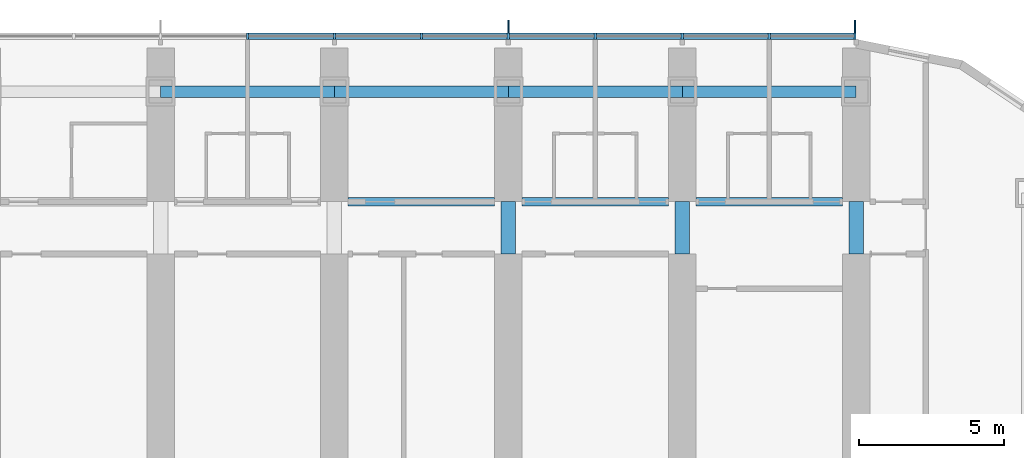
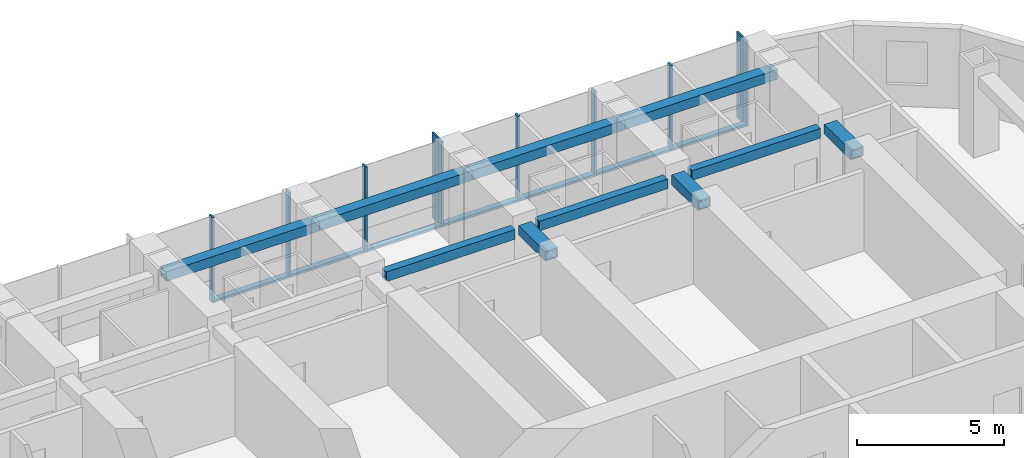
# One storey, part 5 of 21: 17 members, 10 beams, 1 element without a shape of its own.
"""IFC4 building model written with IfcOpenShell, lengths in metres."""

from ifc_helpers import new_model, si_unit, direction, frame, origin, origin_2d, place, context, subcontext, project, spatial, rectangle, hollow_rectangle, extrude, material, material_profile, profile_set, type_object, element, aggregate, save


model = new_model("IFC4")

# Units and contexts
model_context = context("Model", 3, precision=1e-05, world=origin(), true_north=direction((0.0, 1.0)))
body_context = subcontext(model_context, "Body", "Model", "MODEL_VIEW")
ifc_project = project(units=[si_unit("LENGTHUNIT", "METRE"), si_unit("AREAUNIT", "SQUARE_METRE"), si_unit("VOLUMEUNIT", "CUBIC_METRE"), si_unit("PLANEANGLEUNIT", "RADIAN"), si_unit("MASSUNIT", "GRAM", prefix="KILO")], contexts=[model_context])

# Site, building, storey
site_placement = place(None, origin())
site = spatial("IfcSite", under=ifc_project, at=site_placement, CompositionType="ELEMENT")
building_placement = place(site_placement, origin())
building = spatial("IfcBuilding", under=site, at=building_placement, Name="Orbita Commons", CompositionType="ELEMENT")
storey_placement = place(building_placement, frame((0.0, 0.0, 95.64990234375)))
storey = spatial("IfcBuildingStorey", under=building, at=storey_placement, Name="L23", CompositionType="ELEMENT", Elevation=95.64990234375)

# Curtain wall, members
ifc_material_1 = material(Name="Anodised aluminium frame, pale silver", Category="aluminium")
curtain_wall_type = type_object("IfcCurtainWallType", Name="Unitised curtain wall CW-T, vision and spandrel", PredefinedType="NOTDEFINED", material=ifc_material_1)
curtain_wall_placement = place(storey_placement, origin())
curtain_wall = element("IfcCurtainWall", 1, at=curtain_wall_placement, inside=storey, type_object=curtain_wall_type, Name="Curtain wall north L23", PredefinedType="NOTDEFINED")
ifc_material_2 = material(Name="Anodised aluminium, pale silver", Category="aluminium")
ifc_material_profile_1 = material_profile(ifc_material_2, rectangle(XDim=0.080078125, YDim=0.219970703125, at=origin_2d()), Name="AL 80x220")
ifc_profile_set_1 = profile_set([ifc_material_profile_1], Name="Anodised aluminium, pale silver")
member_type_1 = type_object("IfcMemberType", Name="Curtain wall mullion 80x220", PredefinedType="MULLION", material=ifc_profile_set_1)
member_1_placement = place(storey_placement, frame((65.9599609375, 55.510009765625, -0.25), z_axis=(0.0, 0.0, 1.0), x_axis=(-1.0, 0.0, 0.0)))
member_1 = element("IfcMember", 2, at=member_1_placement, type_object=member_type_1, Name="Mullion 1 CW-L23-N", PredefinedType="MULLION", context=body_context, shape_type="SweptSolid", body=[
    extrude(rectangle(XDim=0.080078125, YDim=0.219970703125, at=origin_2d()), origin(), (0.0, 0.0, 1.0), 3.550048828125),
])
member_2_placement = place(storey_placement, frame((63.0, 55.510009765625, -0.25), z_axis=(0.0, 0.0, 1.0), x_axis=(-1.0, 0.0, 0.0)))
member_2 = element("IfcMember", 3, at=member_2_placement, type_object=member_type_1, Name="Mullion 2 CW-L23-N", PredefinedType="MULLION", context=body_context, shape_type="SweptSolid", body=[
    extrude(rectangle(XDim=0.080078125, YDim=0.219970703125, at=origin_2d()), origin(), (0.0, 0.0, 1.0), 3.550048828125),
])
member_3_placement = place(storey_placement, frame((60.0, 55.510009765625, -0.25), z_axis=(0.0, 0.0, 1.0), x_axis=(-1.0, 0.0, 0.0)))
member_3 = element("IfcMember", 4, at=member_3_placement, type_object=member_type_1, Name="Mullion 3 CW-L23-N", PredefinedType="MULLION", context=body_context, shape_type="SweptSolid", body=[
    extrude(rectangle(XDim=0.080078125, YDim=0.219970703125, at=origin_2d()), origin(), (0.0, 0.0, 1.0), 3.550048828125),
])
member_4_placement = place(storey_placement, frame((57.0, 55.510009765625, -0.25), z_axis=(0.0, 0.0, 1.0), x_axis=(-1.0, 0.0, 0.0)))
member_4 = element("IfcMember", 5, at=member_4_placement, type_object=member_type_1, Name="Mullion 4 CW-L23-N", PredefinedType="MULLION", context=body_context, shape_type="SweptSolid", body=[
    extrude(rectangle(XDim=0.080078125, YDim=0.219970703125, at=origin_2d()), origin(), (0.0, 0.0, 1.0), 3.550048828125),
])
member_5_placement = place(storey_placement, frame((54.0, 55.510009765625, -0.25), z_axis=(0.0, 0.0, 1.0), x_axis=(-1.0, 0.0, 0.0)))
member_5 = element("IfcMember", 6, at=member_5_placement, type_object=member_type_1, Name="Mullion 5 CW-L23-N", PredefinedType="MULLION", context=body_context, shape_type="SweptSolid", body=[
    extrude(rectangle(XDim=0.080078125, YDim=0.219970703125, at=origin_2d()), origin(), (0.0, 0.0, 1.0), 3.550048828125),
])
member_6_placement = place(storey_placement, frame((51.0, 55.510009765625, -0.25), z_axis=(0.0, 0.0, 1.0), x_axis=(-1.0, 0.0, 0.0)))
member_6 = element("IfcMember", 7, at=member_6_placement, type_object=member_type_1, Name="Mullion 6 CW-L23-N", PredefinedType="MULLION", context=body_context, shape_type="SweptSolid", body=[
    extrude(rectangle(XDim=0.080078125, YDim=0.219970703125, at=origin_2d()), origin(), (0.0, 0.0, 1.0), 3.550048828125),
])
member_7_placement = place(storey_placement, frame((48.0, 55.510009765625, -0.25), z_axis=(0.0, 0.0, 1.0), x_axis=(-1.0, 0.0, 0.0)))
member_7 = element("IfcMember", 8, at=member_7_placement, type_object=member_type_1, Name="Mullion 7 CW-L23-N", PredefinedType="MULLION", context=body_context, shape_type="SweptSolid", body=[
    extrude(rectangle(XDim=0.080078125, YDim=0.219970703125, at=origin_2d()), origin(), (0.0, 0.0, 1.0), 3.550048828125),
])
member_8_placement = place(storey_placement, frame((45.0, 55.510009765625, -0.25), z_axis=(0.0, 0.0, 1.0), x_axis=(-1.0, 0.0, 0.0)))
member_8 = element("IfcMember", 9, at=member_8_placement, type_object=member_type_1, Name="Mullion 8 CW-L23-N", PredefinedType="MULLION", context=body_context, shape_type="SweptSolid", body=[
    extrude(rectangle(XDim=0.080078125, YDim=0.219970703125, at=origin_2d()), origin(), (0.0, 0.0, 1.0), 3.550048828125),
])
ifc_material_3 = material(Name="Anodised aluminium, pale silver", Category="aluminium")
ifc_material_profile_2 = material_profile(ifc_material_3, rectangle(XDim=0.219970703125, YDim=0.10009765625, at=origin_2d()), Name="AL 220x100")
ifc_profile_set_2 = profile_set([ifc_material_profile_2], Name="Anodised aluminium, pale silver")
member_type_2 = type_object("IfcMemberType", Name="Curtain wall stack transom 220x100", PredefinedType="USERDEFINED", material=ifc_profile_set_2)
member_9_placement = place(storey_placement, frame((65.919921875, 55.510009765625, -0.199951171875), z_axis=(-1.0, 0.0, 0.0), x_axis=(0.0, -1.0, 0.0)))
member_9 = element("IfcMember", 10, at=member_9_placement, type_object=member_type_2, Name="Transom 1.1 CW-L23-N", ObjectType="TRANSOM", PredefinedType="USERDEFINED", context=body_context, shape_type="SweptSolid", body=[
    extrude(rectangle(XDim=0.219970703125, YDim=0.10009765625, at=origin_2d()), origin(), (0.0, 0.0, 1.0), 2.8798828125),
])
member_10_placement = place(storey_placement, frame((62.9599609375, 55.510009765625, -0.199951171875), z_axis=(-1.0, 0.0, 0.0), x_axis=(0.0, -1.0, 0.0)))
member_10 = element("IfcMember", 11, at=member_10_placement, type_object=member_type_2, Name="Transom 2.1 CW-L23-N", ObjectType="TRANSOM", PredefinedType="USERDEFINED", context=body_context, shape_type="SweptSolid", body=[
    extrude(rectangle(XDim=0.219970703125, YDim=0.10009765625, at=origin_2d()), origin(), (0.0, 0.0, 1.0), 2.919921875),
])
member_11_placement = place(storey_placement, frame((59.9599609375, 55.510009765625, -0.199951171875), z_axis=(-1.0, 0.0, 0.0), x_axis=(0.0, -1.0, 0.0)))
member_11 = element("IfcMember", 12, at=member_11_placement, type_object=member_type_2, Name="Transom 3.1 CW-L23-N", ObjectType="TRANSOM", PredefinedType="USERDEFINED", context=body_context, shape_type="SweptSolid", body=[
    extrude(rectangle(XDim=0.219970703125, YDim=0.10009765625, at=origin_2d()), origin(), (0.0, 0.0, 1.0), 2.919921875),
])
member_12_placement = place(storey_placement, frame((56.9599609375, 55.510009765625, -0.199951171875), z_axis=(-1.0, 0.0, 0.0), x_axis=(0.0, -1.0, 0.0)))
member_12 = element("IfcMember", 13, at=member_12_placement, type_object=member_type_2, Name="Transom 4.1 CW-L23-N", ObjectType="TRANSOM", PredefinedType="USERDEFINED", context=body_context, shape_type="SweptSolid", body=[
    extrude(rectangle(XDim=0.219970703125, YDim=0.10009765625, at=origin_2d()), origin(), (0.0, 0.0, 1.0), 2.919921875),
])
member_13_placement = place(storey_placement, frame((53.9599609375, 55.510009765625, -0.199951171875), z_axis=(-1.0, 0.0, 0.0), x_axis=(0.0, -1.0, 0.0)))
member_13 = element("IfcMember", 14, at=member_13_placement, type_object=member_type_2, Name="Transom 5.1 CW-L23-N", ObjectType="TRANSOM", PredefinedType="USERDEFINED", context=body_context, shape_type="SweptSolid", body=[
    extrude(rectangle(XDim=0.219970703125, YDim=0.10009765625, at=origin_2d()), origin(), (0.0, 0.0, 1.0), 2.919921875),
])
member_14_placement = place(storey_placement, frame((50.9599609375, 55.510009765625, -0.199951171875), z_axis=(-1.0, 0.0, 0.0), x_axis=(0.0, -1.0, 0.0)))
member_14 = element("IfcMember", 15, at=member_14_placement, type_object=member_type_2, Name="Transom 6.1 CW-L23-N", ObjectType="TRANSOM", PredefinedType="USERDEFINED", context=body_context, shape_type="SweptSolid", body=[
    extrude(rectangle(XDim=0.219970703125, YDim=0.10009765625, at=origin_2d()), origin(), (0.0, 0.0, 1.0), 2.919921875),
])
member_15_placement = place(storey_placement, frame((47.9599609375, 55.510009765625, -0.199951171875), z_axis=(-1.0, 0.0, 0.0), x_axis=(0.0, -1.0, 0.0)))
member_15 = element("IfcMember", 16, at=member_15_placement, type_object=member_type_2, Name="Transom 7.1 CW-L23-N", ObjectType="TRANSOM", PredefinedType="USERDEFINED", context=body_context, shape_type="SweptSolid", body=[
    extrude(rectangle(XDim=0.219970703125, YDim=0.10009765625, at=origin_2d()), origin(), (0.0, 0.0, 1.0), 2.919921875),
])

# Beams
ifc_material_4 = material(Name="Steel ASTM A572 Gr 50 welded plate", Category="steel")
ifc_material_profile_3 = material_profile(ifc_material_4, hollow_rectangle(XDim=0.300048828125, YDim=0.39990234375, WallThickness=0.0400390625, at=origin_2d()), Name="BOX 400x300x40")
ifc_profile_set_3 = profile_set([ifc_material_profile_3], Name="Steel ASTM A572 Gr 50 welded plate")
beam_type_1 = type_object("IfcBeamType", Name="Steel corridor link BOX 400x300x40", PredefinedType="BEAM", material=ifc_profile_set_3)
for number, where, z_axis, x_axis, name in (
    (17, (48.47509765625, 49.800048828125, 3.10009765625), (1.0, 0.0, 0.0), (0.0, 1.0, 0.0), "Corridor beam NB 9-10 L23"),
    (18, (54.47509765625, 49.800048828125, 3.10009765625), (1.0, 0.0, 0.0), (0.0, 1.0, 0.0), "Corridor beam NB 10-11 L23"),
    (19, (60.47509765625, 49.800048828125, 3.10009765625), (1.0, 0.0, 0.0), (0.0, 1.0, 0.0), "Corridor beam NB 11-12 L23"),
):
    element("IfcBeam", number, at=place(storey_placement, frame(where, z_axis=z_axis, x_axis=x_axis)), inside=storey, type_object=beam_type_1, Name=name, PredefinedType="BEAM", context=body_context, shape_type="SweptSolid", body=[
        extrude(hollow_rectangle(XDim=0.300048828125, YDim=0.39990234375, WallThickness=0.0400390625, at=origin_2d()), origin(), (0.0, 0.0, 1.0), 5.0498046875),
    ])
ifc_material_5 = material(Name="Steel ASTM A572 Gr 50 welded plate", Category="steel")
ifc_material_profile_4 = material_profile(ifc_material_5, hollow_rectangle(XDim=0.5, YDim=0.39990234375, WallThickness=0.050048828125, at=origin_2d()), Name="BOX 400x500x50")
ifc_profile_set_4 = profile_set([ifc_material_profile_4], Name="Steel ASTM A572 Gr 50 welded plate")
beam_type_2 = type_object("IfcBeamType", Name="Steel coupling link BOX 400x500x50", PredefinedType="LINTEL", material=ifc_profile_set_4)
for number, where, z_axis, x_axis, name in (
    (20, (54.0, 48.0, 3.10009765625), (0.0, 1.0, 0.0), (-1.0, 0.0, 0.0), "Coupling beam 10 north L23"),
    (21, (60.0, 48.0, 3.10009765625), (0.0, 1.0, 0.0), (-1.0, 0.0, 0.0), "Coupling beam 11 north L23"),
    (22, (66.0, 48.0, 3.10009765625), (0.0, 1.0, 0.0), (-1.0, 0.0, 0.0), "Coupling beam 12 north L23"),
):
    element("IfcBeam", number, at=place(storey_placement, frame(where, z_axis=z_axis, x_axis=x_axis)), inside=storey, type_object=beam_type_2, Name=name, PredefinedType="LINTEL", context=body_context, shape_type="SweptSolid", body=[
        extrude(hollow_rectangle(XDim=0.5, YDim=0.39990234375, WallThickness=0.050048828125, at=origin_2d()), origin(), (0.0, 0.0, 1.0), 1.800048828125),
    ])
ifc_material_6 = material(Name="Steel ASTM A572 Gr 50 welded plate", Category="steel")
ifc_material_profile_5 = material_profile(ifc_material_6, hollow_rectangle(XDim=0.39990234375, YDim=0.39990234375, WallThickness=0.0400390625, at=origin_2d()), Name="BOX 400x400x40")
ifc_profile_set_5 = profile_set([ifc_material_profile_5], Name="Steel ASTM A572 Gr 50 welded plate")
beam_type_3 = type_object("IfcBeamType", Name="Steel spandrel BOX 400x400x40", PredefinedType="SPANDREL", material=ifc_profile_set_5)
for number, where, z_axis, x_axis, name in (
    (23, (42.0, 53.60009765625, 3.10009765625), (1.0, 0.0, 0.0), (0.0, 1.0, 0.0), "Spandrel beam E 8-9 L23"),
    (24, (48.0, 53.60009765625, 3.10009765625), (1.0, 0.0, 0.0), (0.0, 1.0, 0.0), "Spandrel beam E 9-10 L23"),
    (25, (54.0, 53.60009765625, 3.10009765625), (1.0, 0.0, 0.0), (0.0, 1.0, 0.0), "Spandrel beam E 10-11 L23"),
    (26, (60.0, 53.60009765625, 3.10009765625), (1.0, 0.0, 0.0), (0.0, 1.0, 0.0), "Spandrel beam E 11-12 L23"),
):
    element("IfcBeam", number, at=place(storey_placement, frame(where, z_axis=z_axis, x_axis=x_axis)), inside=storey, type_object=beam_type_3, Name=name, PredefinedType="SPANDREL", context=body_context, shape_type="SweptSolid", body=[
        extrude(hollow_rectangle(XDim=0.39990234375, YDim=0.39990234375, WallThickness=0.0400390625, at=origin_2d()), origin(), (0.0, 0.0, 1.0), 6.0),
    ])

# Member
ifc_material_7 = material(Name="Anodised aluminium, pale silver", Category="aluminium")
ifc_material_profile_6 = material_profile(ifc_material_7, rectangle(XDim=0.06005859375, YDim=0.449951171875, at=origin_2d()), Name="FIN 60x450")
ifc_profile_set_6 = profile_set([ifc_material_profile_6], Name="Anodised aluminium, pale silver")
member_type_3 = type_object("IfcMemberType", Name="Vertical fin 60x450 pale aluminium", PredefinedType="USERDEFINED", material=ifc_profile_set_6)
member_16_placement = place(storey_placement, frame((65.9599609375, 55.844970703125, -0.25), z_axis=(0.0, 0.0, 1.0), x_axis=(-1.0, 0.0, 0.0)))
member_16 = element("IfcMember", 27, at=member_16_placement, type_object=member_type_3, Name="Fin 1 CW-L23-N", ObjectType="FIN", PredefinedType="USERDEFINED", context=body_context, shape_type="SweptSolid", body=[
    extrude(rectangle(XDim=0.06005859375, YDim=0.449951171875, at=origin_2d()), origin(), (0.0, 0.0, 1.0), 3.550048828125),
])

member_17_placement = place(storey_placement, frame((54.0, 55.844970703125, -0.25), z_axis=(0.0, 0.0, 1.0), x_axis=(-1.0, 0.0, 0.0)))
member_17 = element("IfcMember", 28, at=member_17_placement, type_object=member_type_3, Name="Fin 5 CW-L23-N", ObjectType="FIN", PredefinedType="USERDEFINED", context=body_context, shape_type="SweptSolid", body=[
    extrude(rectangle(XDim=0.06005859375, YDim=0.449951171875, at=origin_2d()), origin(), (0.0, 0.0, 1.0), 3.550048828125),
])

aggregate(curtain_wall, [member_1, member_16, member_2, member_3, member_4, member_5, member_17, member_6, member_7, member_8, member_9, member_10, member_11, member_12, member_13, member_14, member_15])

save(model, "model.ifc")
